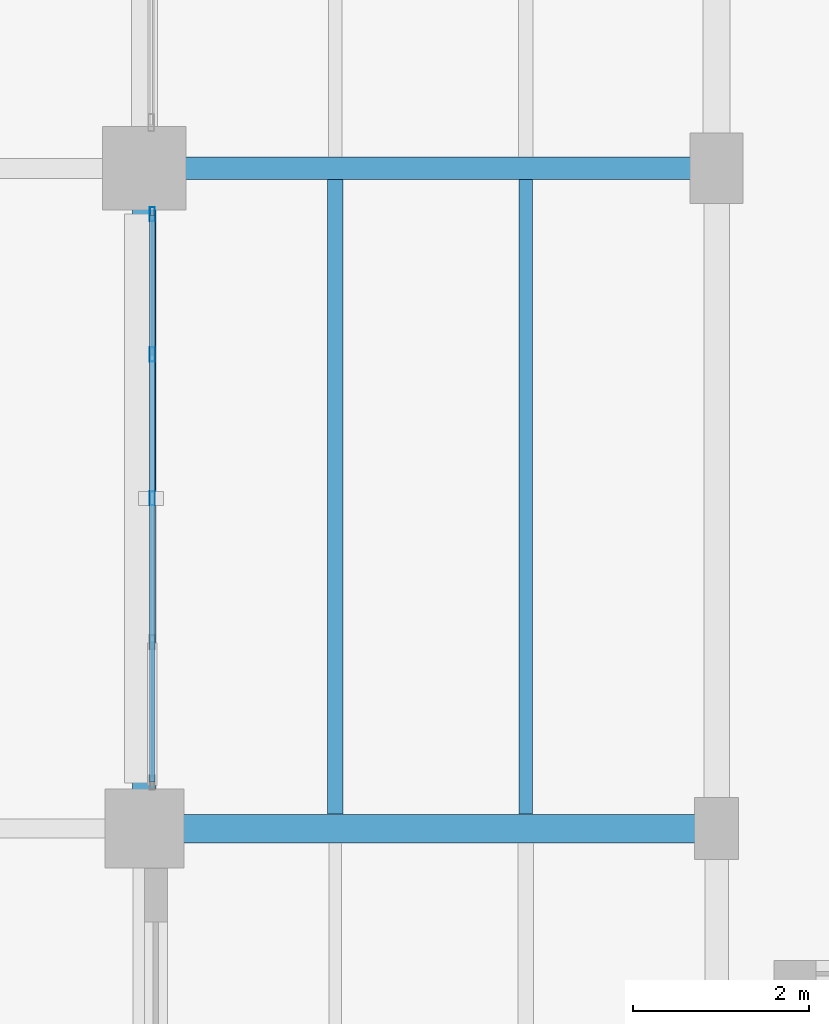
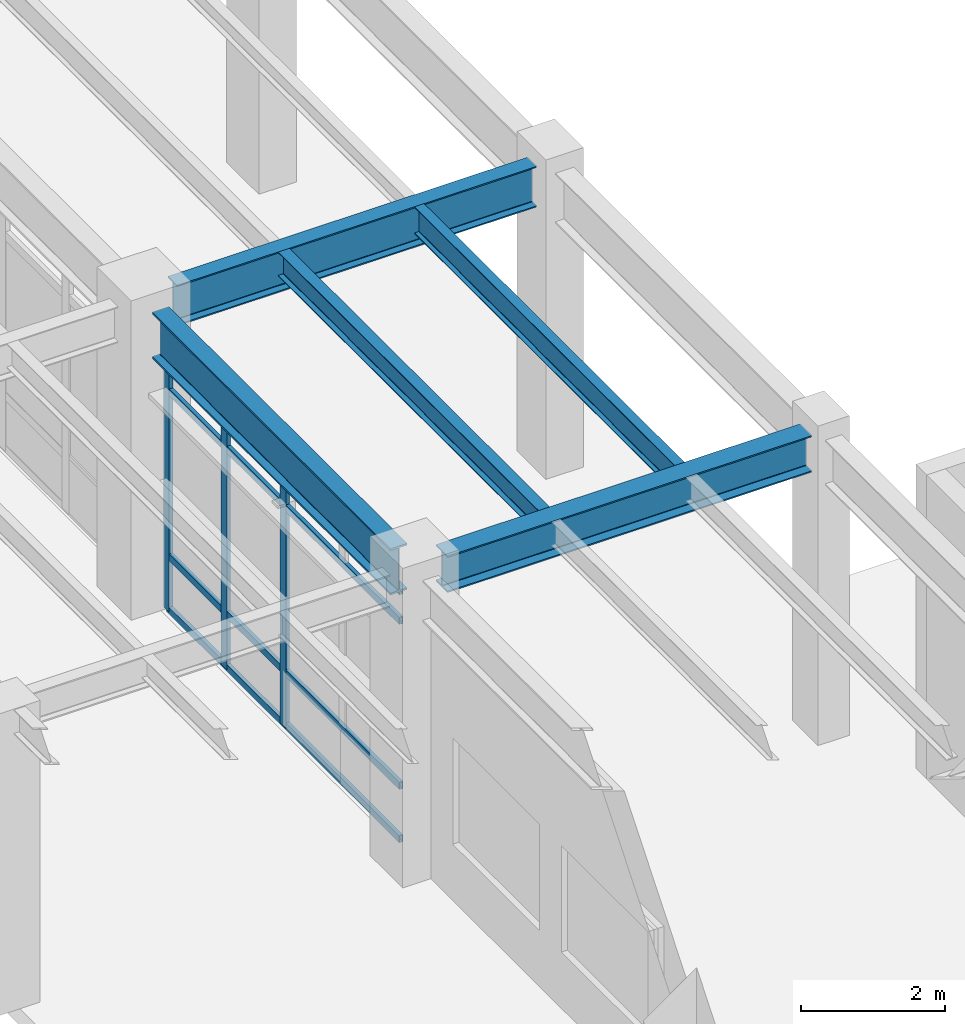
# One storey, part 42 of 203: 7 members, 5 beams, 1 element without a shape of its own.
"""IFC4 building model written with IfcOpenShell, lengths in metres."""

from ifc_helpers import new_model, si_unit, direction, frame, origin, origin_2d, place, context, subcontext, project, spatial, hollow_rectangle, i_section, extrude, material, material_profile, profile_set, type_object, element, aggregate, save


model = new_model("IFC4")

# Units and contexts
model_context = context("Model", 3, precision=1e-05, world=origin(), true_north=direction((0.0, 1.0)))
body_context = subcontext(model_context, "Body", "Model", "MODEL_VIEW")
ifc_project = project(units=[si_unit("LENGTHUNIT", "METRE"), si_unit("AREAUNIT", "SQUARE_METRE"), si_unit("VOLUMEUNIT", "CUBIC_METRE"), si_unit("PLANEANGLEUNIT", "RADIAN"), si_unit("MASSUNIT", "GRAM", prefix="KILO"), si_unit("THERMODYNAMICTEMPERATUREUNIT", "KELVIN"), si_unit("POWERUNIT", "WATT")], contexts=[model_context])

# Site, building, storey
site_placement = place(None, origin())
site = spatial("IfcSite", under=ifc_project, at=site_placement, CompositionType="ELEMENT")
building_placement = place(site_placement, origin())
building = spatial("IfcBuilding", under=site, at=building_placement, Name="Tepalcoro Natatorium and Aquatics Centre", CompositionType="ELEMENT")
storey_placement = place(building_placement, origin())
storey = spatial("IfcBuildingStorey", under=building, at=storey_placement, Name="L00", CompositionType="ELEMENT", Elevation=0.0)

# Beams
ifc_material_1 = material(Name="Steel ASTM A992 Grade 50 (Fy 345 MPa)", Category="steel")
ifc_material_profile_1 = material_profile(ifc_material_1, i_section(OverallWidth=0.324951171875, OverallDepth=0.616943359375, WebThickness=0.013916015625, FlangeThickness=0.02197265625, FilletRadius=0.013916015625, at=origin_2d()), Name="W24X117")
ifc_profile_set_1 = profile_set([ifc_material_profile_1], Name="Steel ASTM A992 Grade 50 (Fy 345 MPa)")
beam_type_1 = type_object("IfcBeamType", Name="BM_W24x117", PredefinedType="BEAM", material=ifc_profile_set_1)
beam_1_placement = place(storey_placement, frame((46.93505859375, 20.5, 4.81640625), z_axis=(1.0, 0.0, 0.0), x_axis=(0.0, 1.0, 0.0)))
element("IfcBeam", 1, at=beam_1_placement, inside=storey, type_object=beam_type_1, Name="V1 L00 Grid Girder X", PredefinedType="BEAM", context=body_context, shape_type="SweptSolid", body=[
    extrude(i_section(OverallWidth=0.324951171875, OverallDepth=0.616943359375, WebThickness=0.013916015625, FlangeThickness=0.02197265625, FilletRadius=0.013916015625, at=origin_2d()), origin(), (0.0, 0.0, 1.0), 5.829833984375),
])
ifc_material_profile_2 = material_profile(ifc_material_1, i_section(OverallWidth=0.25390625, OverallDepth=0.68798828125, WebThickness=0.012939453125, FlangeThickness=0.02099609375, FilletRadius=0.013916015625, at=origin_2d()), Name="W27X102")
ifc_profile_set_2 = profile_set([ifc_material_profile_2], Name="Steel ASTM A992 Grade 50 (Fy 345 MPa)")
beam_type_2 = type_object("IfcBeamType", Name="BM_W27x102", PredefinedType="BEAM", material=ifc_profile_set_2)
beam_2_placement = place(storey_placement, frame((46.9599609375, 28.0, 4.781005859375), z_axis=(1.0, 0.0, 0.0), x_axis=(0.0, 1.0, 0.0)))
element("IfcBeam", 2, at=beam_2_placement, inside=storey, type_object=beam_type_2, Name="V1 L00 Grid Girder X", PredefinedType="BEAM", context=body_context, shape_type="SweptSolid", body=[
    extrude(i_section(OverallWidth=0.25390625, OverallDepth=0.68798828125, WebThickness=0.012939453125, FlangeThickness=0.02099609375, FilletRadius=0.013916015625, at=origin_2d()), origin(), (0.0, 0.0, 1.0), 5.755126953125),
])
ifc_material_profile_3 = material_profile(ifc_material_1, i_section(OverallWidth=0.26708984375, OverallDepth=0.780029296875, WebThickness=0.01708984375, FlangeThickness=0.030029296875, FilletRadius=0.013916015625, at=origin_2d()), Name="W30X148")
ifc_profile_set_3 = profile_set([ifc_material_profile_3], Name="Steel ASTM A992 Grade 50 (Fy 345 MPa)")
beam_type_3 = type_object("IfcBeamType", Name="BM_W30x148", PredefinedType="BEAM", material=ifc_profile_set_3)
beam_3_placement = place(storey_placement, frame((46.5, 20.93505859375, 4.695068359375), z_axis=(0.0, 1.0, 0.0), x_axis=(-1.0, 0.0, 0.0)))
element("IfcBeam", 3, at=beam_3_placement, inside=storey, type_object=beam_type_3, Name="V1 L00 Grid Girder Y", PredefinedType="BEAM", context=body_context, shape_type="SweptSolid", body=[
    extrude(i_section(OverallWidth=0.26708984375, OverallDepth=0.780029296875, WebThickness=0.01708984375, FlangeThickness=0.030029296875, FilletRadius=0.013916015625, at=origin_2d()), origin(), (0.0, 0.0, 1.0), 6.60498046875),
])

# Curtain wall, members
ifc_material_2 = material(Name="Bronze-Anodised Extruded Aluminium Alloy EN AW-6063 T6", Category="aluminium")
curtain_wall_type = type_object("IfcCurtainWallType", Name="CW_LEAN_T1_EW", PredefinedType="USERDEFINED", material=ifc_material_2)
curtain_wall_placement = place(storey_placement, origin())
curtain_wall = element("IfcCurtainWall", 4, at=curtain_wall_placement, inside=storey, type_object=curtain_wall_type, Name="V1 L00 W Unitised Curtain Wall Bay 3", ObjectType="FACETED SOLAR GLAZING", PredefinedType="USERDEFINED")
ifc_material_profile_4 = material_profile(ifc_material_2, hollow_rectangle(XDim=0.06005859375, YDim=0.159912109375, WallThickness=0.00390625, at=origin_2d()), Name="AL60X160X4")
ifc_profile_set_4 = profile_set([ifc_material_profile_4], Name="Bronze-Anodised Extruded Aluminium Alloy EN AW-6063 T6")
member_type_1 = type_object("IfcMemberType", Name="CW_MUL_60x160", PredefinedType="MULLION", material=ifc_profile_set_4)
member_1_placement = place(storey_placement, frame((46.590087890625, 24.25, 0.02001953125), z_axis=(0.0, 0.0, 1.0), x_axis=(1.0, 0.0, 0.0)))
member_1 = element("IfcMember", 5, at=member_1_placement, type_object=member_type_1, Name="CW_LEAN_T1_EW Curtain Wall Mullion", PredefinedType="MULLION", context=body_context, shape_type="SweptSolid", body=[
    extrude(hollow_rectangle(XDim=0.06005859375, YDim=0.159912109375, WallThickness=0.00390625, at=origin_2d()), origin(), (0.0, 0.0, 1.0), 4.25),
])
member_2_placement = place(storey_placement, frame((46.590087890625, 25.885009765625, 0.02001953125), z_axis=(0.0, 0.0, 1.0), x_axis=(1.0, 0.0, 0.0)))
member_2 = element("IfcMember", 6, at=member_2_placement, type_object=member_type_1, Name="CW_LEAN_T1_EW Curtain Wall Mullion", PredefinedType="MULLION", context=body_context, shape_type="SweptSolid", body=[
    extrude(hollow_rectangle(XDim=0.06005859375, YDim=0.159912109375, WallThickness=0.00390625, at=origin_2d()), origin(), (0.0, 0.0, 1.0), 4.25),
])
member_3_placement = place(storey_placement, frame((46.590087890625, 27.47998046875, 0.02001953125), z_axis=(0.0, 0.0, 1.0), x_axis=(1.0, 0.0, 0.0)))
member_3 = element("IfcMember", 7, at=member_3_placement, type_object=member_type_1, Name="CW_LEAN_T1_EW Curtain Wall Mullion", PredefinedType="MULLION", context=body_context, shape_type="SweptSolid", body=[
    extrude(hollow_rectangle(XDim=0.06005859375, YDim=0.159912109375, WallThickness=0.00390625, at=origin_2d()), origin(), (0.0, 0.0, 1.0), 4.25),
])
ifc_material_profile_5 = material_profile(ifc_material_2, hollow_rectangle(XDim=0.06005859375, YDim=0.1201171875, WallThickness=0.00390625, at=origin_2d()), Name="AL60X120X4")
ifc_profile_set_5 = profile_set([ifc_material_profile_5], Name="Bronze-Anodised Extruded Aluminium Alloy EN AW-6063 T6")
member_type_2 = type_object("IfcMemberType", Name="CW_TRN_60x120", PredefinedType="USERDEFINED", material=ifc_profile_set_5)
member_4_placement = place(storey_placement, frame((46.590087890625, 21.030029296875, 0.050048828125), z_axis=(0.0, 1.0, 0.0), x_axis=(-1.0, 0.0, 0.0)))
member_4 = element("IfcMember", 8, at=member_4_placement, type_object=member_type_2, Name="CW_LEAN_T1_EW Curtain Wall Transom", ObjectType="TRANSOM", PredefinedType="USERDEFINED", context=body_context, shape_type="SweptSolid", body=[
    extrude(hollow_rectangle(XDim=0.06005859375, YDim=0.1201171875, WallThickness=0.00390625, at=origin_2d()), origin(), (0.0, 0.0, 1.0), 6.43994140625),
])
member_5_placement = place(storey_placement, frame((46.590087890625, 21.030029296875, 0.949951171875), z_axis=(0.0, 1.0, 0.0), x_axis=(-1.0, 0.0, 0.0)))
member_5 = element("IfcMember", 9, at=member_5_placement, type_object=member_type_2, Name="CW_LEAN_T1_EW Curtain Wall Transom", ObjectType="TRANSOM", PredefinedType="USERDEFINED", context=body_context, shape_type="SweptSolid", body=[
    extrude(hollow_rectangle(XDim=0.06005859375, YDim=0.1201171875, WallThickness=0.00390625, at=origin_2d()), origin(), (0.0, 0.0, 1.0), 6.43994140625),
])
member_6_placement = place(storey_placement, frame((46.590087890625, 21.030029296875, 3.739990234375), z_axis=(0.0, 1.0, 0.0), x_axis=(-1.0, 0.0, 0.0)))
member_6 = element("IfcMember", 10, at=member_6_placement, type_object=member_type_2, Name="CW_LEAN_T1_EW Curtain Wall Transom", ObjectType="TRANSOM", PredefinedType="USERDEFINED", context=body_context, shape_type="SweptSolid", body=[
    extrude(hollow_rectangle(XDim=0.06005859375, YDim=0.1201171875, WallThickness=0.00390625, at=origin_2d()), origin(), (0.0, 0.0, 1.0), 6.43994140625),
])
member_7_placement = place(storey_placement, frame((46.590087890625, 21.030029296875, 4.239990234375), z_axis=(0.0, 1.0, 0.0), x_axis=(-1.0, 0.0, 0.0)))
member_7 = element("IfcMember", 11, at=member_7_placement, type_object=member_type_2, Name="CW_LEAN_T1_EW Curtain Wall Transom", ObjectType="TRANSOM", PredefinedType="USERDEFINED", context=body_context, shape_type="SweptSolid", body=[
    extrude(hollow_rectangle(XDim=0.06005859375, YDim=0.1201171875, WallThickness=0.00390625, at=origin_2d()), origin(), (0.0, 0.0, 1.0), 6.43994140625),
])
aggregate(curtain_wall, [member_1, member_2, member_3, member_4, member_5, member_6, member_7])

# Beams
ifc_material_profile_6 = material_profile(ifc_material_1, i_section(OverallWidth=0.178955078125, OverallDepth=0.409912109375, WebThickness=0.009033203125, FlangeThickness=0.013916015625, FilletRadius=0.013916015625, at=origin_2d()), Name="W16X45")
ifc_profile_set_6 = profile_set([ifc_material_profile_6], Name="Steel ASTM A992 Grade 50 (Fy 345 MPa)")
beam_type_4 = type_object("IfcBeamType", Name="JS_W16x45", PredefinedType="JOIST", material=ifc_profile_set_6)
beam_4_placement = place(storey_placement, frame((48.666748046875, 20.66259765625, 4.919921875), z_axis=(0.0, 1.0, 0.0), x_axis=(-1.0, 0.0, 0.0)))
element("IfcBeam", 12, at=beam_4_placement, inside=storey, type_object=beam_type_4, Name="V1 L00 Floor Joist", PredefinedType="JOIST", context=body_context, shape_type="SweptSolid", body=[
    extrude(i_section(OverallWidth=0.178955078125, OverallDepth=0.409912109375, WebThickness=0.009033203125, FlangeThickness=0.013916015625, FilletRadius=0.013916015625, at=origin_2d()), origin(), (0.0, 0.0, 1.0), 7.21044921875),
])
ifc_material_profile_7 = material_profile(ifc_material_1, i_section(OverallWidth=0.153076171875, OverallDepth=0.455078125, WebThickness=0.008056640625, FlangeThickness=0.012939453125, FilletRadius=0.013916015625, at=origin_2d()), Name="W18X40")
ifc_profile_set_7 = profile_set([ifc_material_profile_7], Name="Steel ASTM A992 Grade 50 (Fy 345 MPa)")
beam_type_5 = type_object("IfcBeamType", Name="JS_W18x40", PredefinedType="JOIST", material=ifc_profile_set_7)
beam_5_placement = place(storey_placement, frame((50.833251953125, 20.66259765625, 4.8974609375), z_axis=(0.0, 1.0, 0.0), x_axis=(-1.0, 0.0, 0.0)))
element("IfcBeam", 13, at=beam_5_placement, inside=storey, type_object=beam_type_5, Name="V1 L00 Floor Joist", PredefinedType="JOIST", context=body_context, shape_type="SweptSolid", body=[
    extrude(i_section(OverallWidth=0.153076171875, OverallDepth=0.455078125, WebThickness=0.008056640625, FlangeThickness=0.012939453125, FilletRadius=0.013916015625, at=origin_2d()), origin(), (0.0, 0.0, 1.0), 7.21044921875),
])

save(model, "model.ifc")
